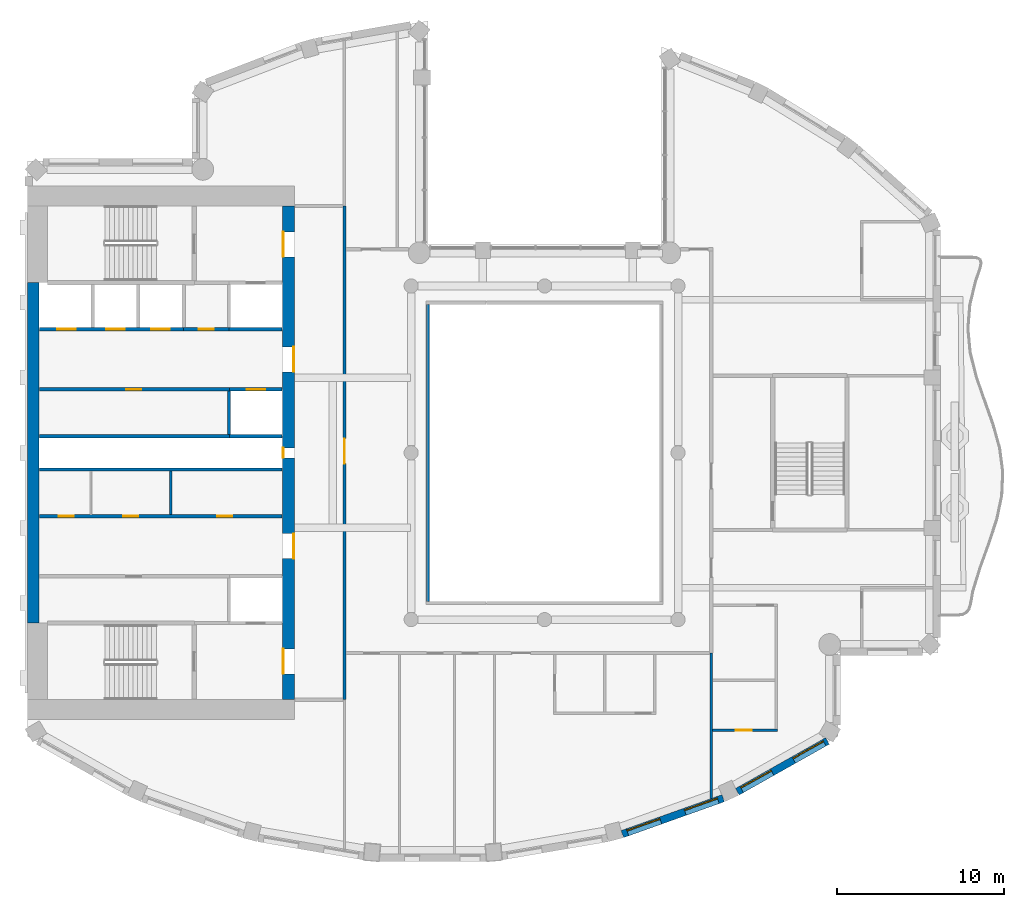
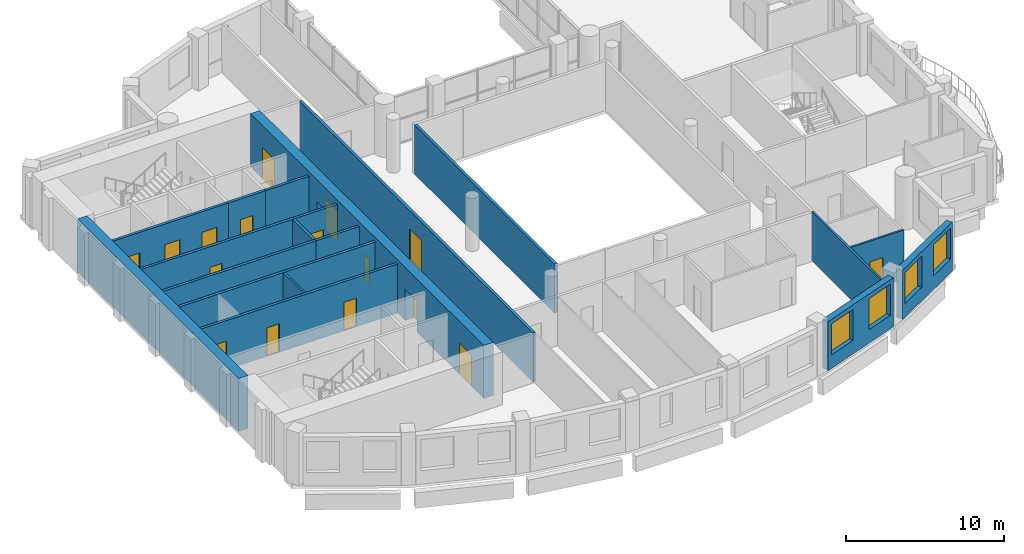
# One storey, part 5 of 14: 19 walls, 16 doors, 4 windows, 20 openings.
"""IFC4 building model written with IfcOpenShell, lengths in metres."""

from ifc_helpers import new_model, si_unit, direction, frame, frame_2d, origin, place, context, subcontext, project, spatial, rectangle, extrude, material, layer, layer_set, type_object, element, fill, save


model = new_model("IFC4")

# Units and contexts
model_context = context("Model", 3, precision=1e-05, world=origin(), true_north=direction((0.0, 1.0)))
body_context = subcontext(model_context, "Body", "Model", "MODEL_VIEW")
ifc_project = project(units=[si_unit("LENGTHUNIT", "METRE"), si_unit("AREAUNIT", "SQUARE_METRE"), si_unit("VOLUMEUNIT", "CUBIC_METRE"), si_unit("PLANEANGLEUNIT", "RADIAN"), si_unit("MASSUNIT", "GRAM", prefix="KILO")], contexts=[model_context])

# Site, building, storey
site_placement = place(None, origin())
site = spatial("IfcSite", under=ifc_project, at=site_placement, CompositionType="ELEMENT")
building_placement = place(site_placement, origin())
building = spatial("IfcBuilding", under=site, at=building_placement, Name="Cypress Arch Tower", CompositionType="ELEMENT")
storey_placement = place(building_placement, frame((0.0, 0.0, 284.39990234375)))
storey = spatial("IfcBuildingStorey", under=building, at=storey_placement, Name="L64", CompositionType="ELEMENT", Elevation=284.39990234375)

# Wall, openings, windows
ifc_material_1 = material(Name="Brick (red buff blend)", Category="masonry")
ifc_layer_1 = layer(ifc_material_1, 0.449951171875)
ifc_layer_set_1 = layer_set([ifc_layer_1], Name="Brick pier and spandrel wall BW450")
wall_type_1 = type_object("IfcWallType", Name="Brick pier and spandrel wall BW450", PredefinedType="SOLIDWALL", material=ifc_layer_set_1)
wall_1_placement = place(storey_placement, frame((5.66455078125, -22.859375, 0.0), z_axis=(0.0, 0.0, 1.0), x_axis=(0.942108340262, 0.335308626803, 0.0)))
wall_1 = element("IfcWall", 1, at=wall_1_placement, inside=storey, type_object=wall_type_1, Name="Brick wall L64 C13.0", PredefinedType="SOLIDWALL", context=body_context, shape_type="SweptSolid", body=[
    extrude(rectangle(XDim=6.41162109375, YDim=0.449951171875, at=frame_2d((3.205810546875, 0.0))), origin(), (0.0, 0.0, 1.0), 3.800048828125),
])
opening_1_placement = place(wall_1_placement, frame((0.3271484375, 0.0, 1.050048828125)))
opening_1 = element("IfcOpeningElement", 2, at=opening_1_placement, cuts=wall_1, Name="Opening W210O", PredefinedType="OPENING", context=body_context, shape_type="SweptSolid", body=[
    extrude(rectangle(XDim=2.10009765625, YDim=2.39990234375, at=frame_2d((1.050048828125, 1.199951171875))), frame((0.0, 0.23486328125, 0.0), z_axis=(0.0, -1.0, 0.0), x_axis=(1.0, 0.0, 0.0)), (0.0, 0.0, 1.0), 0.469970703125),
])
opening_2_placement = place(wall_1_placement, frame((3.984619140625, 0.0, 1.050048828125)))
opening_2 = element("IfcOpeningElement", 3, at=opening_2_placement, cuts=wall_1, Name="Opening W210O", PredefinedType="OPENING", context=body_context, shape_type="SweptSolid", body=[
    extrude(rectangle(XDim=2.10009765625, YDim=2.39990234375, at=frame_2d((1.050048828125, 1.199951171875))), frame((0.0, 0.23486328125, 0.0), z_axis=(0.0, -1.0, 0.0), x_axis=(1.0, 0.0, 0.0)), (0.0, 0.0, 1.0), 0.469970703125),
])
ifc_material_2 = material(Name="Anodised aluminium, bronze finish, clear low-emissivity double glazing", Category="aluminium")
window_type = type_object("IfcWindowType", Name="Window Office 2100x2400", PartitioningType="SINGLE_PANEL", PredefinedType="WINDOW", material=ifc_material_2)
window_1_placement = place(opening_1_placement, origin())
window_1 = element("IfcWindow", 4, at=window_1_placement, inside=storey, type_object=window_type, Name="Window L64 C13.0.1", OverallHeight=2.39990234375, OverallWidth=2.10009765625, PartitioningType="SINGLE_PANEL", PredefinedType="WINDOW", context=body_context, shape_type="SweptSolid", body=[
    extrude(rectangle(XDim=2.10009765625, YDim=2.39990234375, at=frame_2d((1.050048828125, 1.199951171875))), frame((0.0, 0.135009765625, 0.0), z_axis=(0.0, -1.0, 0.0), x_axis=(1.0, 0.0, 0.0)), (0.0, 0.0, 1.0), 0.06005859375),
])
fill(opening_1, window_1)
window_2_placement = place(opening_2_placement, origin())
window_2 = element("IfcWindow", 5, at=window_2_placement, inside=storey, type_object=window_type, Name="Window L64 C13.0.2", OverallHeight=2.39990234375, OverallWidth=2.10009765625, PartitioningType="SINGLE_PANEL", PredefinedType="WINDOW", context=body_context, shape_type="SweptSolid", body=[
    extrude(rectangle(XDim=2.10009765625, YDim=2.39990234375, at=frame_2d((1.050048828125, 1.199951171875))), frame((0.0, 0.135009765625, 0.0), z_axis=(0.0, -1.0, 0.0), x_axis=(1.0, 0.0, 0.0)), (0.0, 0.0, 1.0), 0.06005859375),
])
fill(opening_2, window_2)

wall_2_placement = place(storey_placement, frame((12.55908203125, -20.320068359375, 0.0), z_axis=(0.0, 0.0, 1.0), x_axis=(0.871065783524, 0.491166367714, 0.0)))
wall_2 = element("IfcWall", 6, at=wall_2_placement, inside=storey, type_object=wall_type_1, Name="Brick wall L64 C14.0", PredefinedType="SOLIDWALL", context=body_context, shape_type="SweptSolid", body=[
    extrude(rectangle(XDim=6.1962890625, YDim=0.449951171875, at=frame_2d((3.09814453125, 0.0))), origin(), (0.0, 0.0, 1.0), 3.800048828125),
])
opening_3_placement = place(wall_2_placement, frame((0.29052734375, 0.0, 1.050048828125)))
opening_3 = element("IfcOpeningElement", 7, at=opening_3_placement, cuts=wall_2, Name="Opening W210O", PredefinedType="OPENING", context=body_context, shape_type="SweptSolid", body=[
    extrude(rectangle(XDim=2.10009765625, YDim=2.39990234375, at=frame_2d((1.050048828125, 1.199951171875))), frame((0.0, 0.23486328125, 0.0), z_axis=(0.0, -1.0, 0.0), x_axis=(1.0, 0.0, 0.0)), (0.0, 0.0, 1.0), 0.469970703125),
])
opening_4_placement = place(wall_2_placement, frame((3.875244140625, 0.0, 1.050048828125)))
opening_4 = element("IfcOpeningElement", 8, at=opening_4_placement, cuts=wall_2, Name="Opening W210O", PredefinedType="OPENING", context=body_context, shape_type="SweptSolid", body=[
    extrude(rectangle(XDim=2.10009765625, YDim=2.39990234375, at=frame_2d((1.050048828125, 1.199951171875))), frame((0.0, 0.23486328125, 0.0), z_axis=(0.0, -1.0, 0.0), x_axis=(1.0, 0.0, 0.0)), (0.0, 0.0, 1.0), 0.469970703125),
])
window_3_placement = place(opening_3_placement, origin())
window_3 = element("IfcWindow", 9, at=window_3_placement, inside=storey, type_object=window_type, Name="Window L64 C14.0.1", OverallHeight=2.39990234375, OverallWidth=2.10009765625, PartitioningType="SINGLE_PANEL", PredefinedType="WINDOW", context=body_context, shape_type="SweptSolid", body=[
    extrude(rectangle(XDim=2.10009765625, YDim=2.39990234375, at=frame_2d((1.050048828125, 1.199951171875))), frame((0.0, 0.135009765625, 0.0), z_axis=(0.0, -1.0, 0.0), x_axis=(1.0, 0.0, 0.0)), (0.0, 0.0, 1.0), 0.06005859375),
])
fill(opening_3, window_3)
window_4_placement = place(opening_4_placement, origin())
window_4 = element("IfcWindow", 10, at=window_4_placement, inside=storey, type_object=window_type, Name="Window L64 C14.0.2", OverallHeight=2.39990234375, OverallWidth=2.10009765625, PartitioningType="SINGLE_PANEL", PredefinedType="WINDOW", context=body_context, shape_type="SweptSolid", body=[
    extrude(rectangle(XDim=2.10009765625, YDim=2.39990234375, at=frame_2d((1.050048828125, 1.199951171875))), frame((0.0, 0.135009765625, 0.0), z_axis=(0.0, -1.0, 0.0), x_axis=(1.0, 0.0, 0.0)), (0.0, 0.0, 1.0), 0.06005859375),
])
fill(opening_4, window_4)

# Wall, openings, doors
ifc_material_3 = material(Name="Concrete C60/75", Category="concrete")
ifc_layer_2 = layer(ifc_material_3, 0.699951171875)
ifc_layer_set_2 = layer_set([ifc_layer_2], Name="Core wall CW700 C60/75")
wall_type_2 = type_object("IfcWallType", Name="Core wall CW700 C60/75", PredefinedType="SHEAR", material=ifc_layer_set_2)
wall_3_placement = place(storey_placement, frame((-14.35009765625, -14.800048828125, 0.0), z_axis=(0.0, 0.0, 1.0), x_axis=(0.0, 1.0, 0.0)))
wall_3 = element("IfcWall", 11, at=wall_3_placement, inside=storey, type_object=wall_type_2, Name="Core wall", PredefinedType="SHEAR", context=body_context, shape_type="SweptSolid", body=[
    extrude(rectangle(XDim=29.60009765625, YDim=0.699951171875, at=frame_2d((14.800048828125, 0.0))), origin(), (0.0, 0.0, 1.0), 4.10009765625),
])
opening_5_placement = place(wall_3_placement, frame((1.550048828125, 0.0, 0.0)))
opening_5 = element("IfcOpeningElement", 12, at=opening_5_placement, cuts=wall_3, Name="Opening D07", PredefinedType="OPENING", context=body_context, shape_type="SweptSolid", body=[
    extrude(rectangle(XDim=1.5, YDim=2.39990234375, at=frame_2d((0.75, 1.199951171875))), frame((0.0, 0.35986328125, 0.0), z_axis=(0.0, -1.0, 0.0), x_axis=(1.0, 0.0, 0.0)), (0.0, 0.0, 1.0), 0.719970703125),
])
opening_6_placement = place(wall_3_placement, frame((26.550048828125, 0.0, 0.0)))
opening_6 = element("IfcOpeningElement", 13, at=opening_6_placement, cuts=wall_3, Name="Opening D07", PredefinedType="OPENING", context=body_context, shape_type="SweptSolid", body=[
    extrude(rectangle(XDim=1.5, YDim=2.39990234375, at=frame_2d((0.75, 1.199951171875))), frame((0.0, 0.35986328125, 0.0), z_axis=(0.0, -1.0, 0.0), x_axis=(1.0, 0.0, 0.0)), (0.0, 0.0, 1.0), 0.719970703125),
])
opening_7_placement = place(wall_3_placement, frame((8.449951171875, 0.0, 0.0)))
opening_7 = element("IfcOpeningElement", 14, at=opening_7_placement, cuts=wall_3, Name="Opening D07", PredefinedType="OPENING", context=body_context, shape_type="SweptSolid", body=[
    extrude(rectangle(XDim=1.5, YDim=2.39990234375, at=frame_2d((0.75, 1.199951171875))), frame((0.0, 0.35986328125, 0.0), z_axis=(0.0, -1.0, 0.0), x_axis=(1.0, 0.0, 0.0)), (0.0, 0.0, 1.0), 0.719970703125),
])
opening_8_placement = place(wall_3_placement, frame((19.64990234375, 0.0, 0.0)))
opening_8 = element("IfcOpeningElement", 15, at=opening_8_placement, cuts=wall_3, Name="Opening D07", PredefinedType="OPENING", context=body_context, shape_type="SweptSolid", body=[
    extrude(rectangle(XDim=1.5, YDim=2.39990234375, at=frame_2d((0.75, 1.199951171875))), frame((0.0, 0.35986328125, 0.0), z_axis=(0.0, -1.0, 0.0), x_axis=(1.0, 0.0, 0.0)), (0.0, 0.0, 1.0), 0.719970703125),
])
opening_9_placement = place(wall_3_placement, frame((14.5, 0.0, 0.0)))
opening_9 = element("IfcOpeningElement", 16, at=opening_9_placement, cuts=wall_3, Name="Opening D08", PredefinedType="OPENING", context=body_context, shape_type="SweptSolid", body=[
    extrude(rectangle(XDim=0.60009765625, YDim=2.0, at=frame_2d((0.300048828125, 1.0))), frame((0.0, 0.35986328125, 0.0), z_axis=(0.0, -1.0, 0.0), x_axis=(1.0, 0.0, 0.0)), (0.0, 0.0, 1.0), 0.719970703125),
])
ifc_material_4 = material(Name="Steel framed glazed door, fire resisting", Category="steel")
door_type_1 = type_object("IfcDoorType", Name="Lobby door D07 1500x2400", OperationType="DOUBLE_DOOR_SINGLE_SWING", PredefinedType="DOOR", material=ifc_material_4)
door_1_placement = place(opening_5_placement, origin())
door_1 = element("IfcDoor", 17, at=door_1_placement, inside=storey, type_object=door_type_1, Name="Lobby door", OperationType="DOUBLE_DOOR_SINGLE_SWING", OverallHeight=2.39990234375, OverallWidth=1.5, PredefinedType="DOOR", context=body_context, shape_type="SweptSolid", body=[
    extrude(rectangle(XDim=1.5, YDim=2.39990234375, at=frame_2d((0.75, 1.199951171875))), frame((0.0, 0.34521484375, 0.0), z_axis=(0.0, -1.0, 0.0), x_axis=(1.0, 0.0, 0.0)), (0.0, 0.0, 1.0), 0.050048828125),
])
fill(opening_5, door_1)
door_2_placement = place(opening_6_placement, origin())
door_2 = element("IfcDoor", 18, at=door_2_placement, inside=storey, type_object=door_type_1, Name="Lobby door", OperationType="DOUBLE_DOOR_SINGLE_SWING", OverallHeight=2.39990234375, OverallWidth=1.5, PredefinedType="DOOR", context=body_context, shape_type="SweptSolid", body=[
    extrude(rectangle(XDim=1.5, YDim=2.39990234375, at=frame_2d((0.75, 1.199951171875))), frame((0.0, 0.34521484375, 0.0), z_axis=(0.0, -1.0, 0.0), x_axis=(1.0, 0.0, 0.0)), (0.0, 0.0, 1.0), 0.050048828125),
])
fill(opening_6, door_2)
door_3_placement = place(opening_7_placement, origin())
door_3 = element("IfcDoor", 19, at=door_3_placement, inside=storey, type_object=door_type_1, Name="Lobby door", OperationType="DOUBLE_DOOR_SINGLE_SWING", OverallHeight=2.39990234375, OverallWidth=1.5, PredefinedType="DOOR", context=body_context, shape_type="SweptSolid", body=[
    extrude(rectangle(XDim=1.5, YDim=2.39990234375, at=frame_2d((0.75, 1.199951171875))), frame((0.0, -0.294921875, 0.0), z_axis=(0.0, -1.0, 0.0), x_axis=(1.0, 0.0, 0.0)), (0.0, 0.0, 1.0), 0.050048828125),
])
fill(opening_7, door_3)
door_4_placement = place(opening_8_placement, origin())
door_4 = element("IfcDoor", 20, at=door_4_placement, inside=storey, type_object=door_type_1, Name="Lobby door", OperationType="DOUBLE_DOOR_SINGLE_SWING", OverallHeight=2.39990234375, OverallWidth=1.5, PredefinedType="DOOR", context=body_context, shape_type="SweptSolid", body=[
    extrude(rectangle(XDim=1.5, YDim=2.39990234375, at=frame_2d((0.75, 1.199951171875))), frame((0.0, -0.294921875, 0.0), z_axis=(0.0, -1.0, 0.0), x_axis=(1.0, 0.0, 0.0)), (0.0, 0.0, 1.0), 0.050048828125),
])
fill(opening_8, door_4)
ifc_material_5 = material(Name="Steel access door, fire resisting", Category="steel")
door_type_2 = type_object("IfcDoorType", Name="Riser access door D08 600x2000", OperationType="SINGLE_SWING_LEFT", PredefinedType="DOOR", material=ifc_material_5)
door_5_placement = place(opening_9_placement, origin())
door_5 = element("IfcDoor", 21, at=door_5_placement, inside=storey, type_object=door_type_2, Name="Riser access door", OperationType="SINGLE_SWING_RIGHT", OverallHeight=2.0, OverallWidth=0.60009765625, PredefinedType="DOOR", context=body_context, shape_type="SweptSolid", body=[
    extrude(rectangle(XDim=0.60009765625, YDim=2.0, at=frame_2d((0.300048828125, 1.0))), frame((0.0, 0.34521484375, 0.0), z_axis=(0.0, -1.0, 0.0), x_axis=(1.0, 0.0, 0.0)), (0.0, 0.0, 1.0), 0.050048828125),
])
fill(opening_9, door_5)

# Wall
wall_4_placement = place(storey_placement, frame((-29.64990234375, -10.199951171875, 0.0), z_axis=(0.0, 0.0, 1.0), x_axis=(0.0, 1.0, 0.0)))
element("IfcWall", 22, at=wall_4_placement, inside=storey, type_object=wall_type_2, Name="Core wall", PredefinedType="SHEAR", context=body_context, shape_type="SweptSolid", body=[
    extrude(rectangle(XDim=20.39990234375, YDim=0.699951171875, at=frame_2d((10.199951171875, 0.0))), origin(), (0.0, 0.0, 1.0), 4.10009765625),
])

# Wall, openings, doors
ifc_material_6 = material(Name="Concrete blockwork, plastered, rated", Category="masonry")
ifc_layer_3 = layer(ifc_material_6, 0.199951171875)
ifc_layer_set_3 = layer_set([ifc_layer_3], Name="Corridor wall FW200")
wall_type_3 = type_object("IfcWallType", Name="Corridor wall FW200", PredefinedType="PARTITIONING", material=ifc_layer_set_3)
wall_5_placement = place(storey_placement, frame((-29.27001953125, -3.800048828125, 0.0), z_axis=(0.0, 0.0, 1.0), x_axis=(1.0, 0.0, 0.0)))
wall_5 = element("IfcWall", 23, at=wall_5_placement, inside=storey, type_object=wall_type_3, Name="Corridor wall", PredefinedType="PARTITIONING", context=body_context, shape_type="SweptSolid", body=[
    extrude(rectangle(XDim=14.5400390625, YDim=0.199951171875, at=frame_2d((7.27001953125, 0.0))), origin(), (0.0, 0.0, 1.0), 3.800048828125),
])
opening_10_placement = place(wall_5_placement, frame((1.14990234375, 0.0, 0.0)))
opening_10 = element("IfcOpeningElement", 24, at=opening_10_placement, cuts=wall_5, Name="Opening D05", PredefinedType="OPENING", context=body_context, shape_type="SweptSolid", body=[
    extrude(rectangle(XDim=0.89990234375, YDim=2.199951171875, at=frame_2d((0.449951171875, 1.10009765625))), frame((0.0, 0.10986328125, 0.0), z_axis=(0.0, -1.0, 0.0), x_axis=(1.0, 0.0, 0.0)), (0.0, 0.0, 1.0), 0.219970703125),
])
opening_11_placement = place(wall_5_placement, frame((5.0, 0.0, 0.0)))
opening_11 = element("IfcOpeningElement", 25, at=opening_11_placement, cuts=wall_5, Name="Opening D05", PredefinedType="OPENING", context=body_context, shape_type="SweptSolid", body=[
    extrude(rectangle(XDim=0.89990234375, YDim=2.199951171875, at=frame_2d((0.449951171875, 1.10009765625))), frame((0.0, 0.10986328125, 0.0), z_axis=(0.0, -1.0, 0.0), x_axis=(1.0, 0.0, 0.0)), (0.0, 0.0, 1.0), 0.219970703125),
])
opening_12_placement = place(wall_5_placement, frame((10.64990234375, 0.0, 0.0)))
opening_12 = element("IfcOpeningElement", 26, at=opening_12_placement, cuts=wall_5, Name="Opening D05", PredefinedType="OPENING", context=body_context, shape_type="SweptSolid", body=[
    extrude(rectangle(XDim=0.89990234375, YDim=2.199951171875, at=frame_2d((0.449951171875, 1.10009765625))), frame((0.0, 0.10986328125, 0.0), z_axis=(0.0, -1.0, 0.0), x_axis=(1.0, 0.0, 0.0)), (0.0, 0.0, 1.0), 0.219970703125),
])
ifc_material_7 = material(Name="Timber flush door", Category="wood")
door_type_3 = type_object("IfcDoorType", Name="Service door D05 900x2200", OperationType="SINGLE_SWING_LEFT", PredefinedType="DOOR", material=ifc_material_7)
door_6_placement = place(opening_10_placement, origin())
door_6 = element("IfcDoor", 27, at=door_6_placement, inside=storey, type_object=door_type_3, Name="Service door", OperationType="SINGLE_SWING_RIGHT", OverallHeight=2.199951171875, OverallWidth=0.89990234375, PredefinedType="DOOR", context=body_context, shape_type="SweptSolid", body=[
    extrude(rectangle(XDim=0.89990234375, YDim=2.199951171875, at=frame_2d((0.449951171875, 1.10009765625))), frame((0.0, 0.02490234375, 0.0), z_axis=(0.0, -1.0, 0.0), x_axis=(1.0, 0.0, 0.0)), (0.0, 0.0, 1.0), 0.050048828125),
])
fill(opening_10, door_6)
door_7_placement = place(opening_11_placement, origin())
door_7 = element("IfcDoor", 28, at=door_7_placement, inside=storey, type_object=door_type_3, Name="Service door", OperationType="SINGLE_SWING_LEFT", OverallHeight=2.199951171875, OverallWidth=0.89990234375, PredefinedType="DOOR", context=body_context, shape_type="SweptSolid", body=[
    extrude(rectangle(XDim=0.89990234375, YDim=2.199951171875, at=frame_2d((0.449951171875, 1.10009765625))), frame((0.0, 0.02490234375, 0.0), z_axis=(0.0, -1.0, 0.0), x_axis=(1.0, 0.0, 0.0)), (0.0, 0.0, 1.0), 0.050048828125),
])
fill(opening_11, door_7)
door_8_placement = place(opening_12_placement, origin())
door_8 = element("IfcDoor", 29, at=door_8_placement, inside=storey, type_object=door_type_3, Name="Service door", OperationType="SINGLE_SWING_LEFT", OverallHeight=2.199951171875, OverallWidth=0.89990234375, PredefinedType="DOOR", context=body_context, shape_type="SweptSolid", body=[
    extrude(rectangle(XDim=0.89990234375, YDim=2.199951171875, at=frame_2d((0.449951171875, 1.10009765625))), frame((0.0, 0.02490234375, 0.0), z_axis=(0.0, -1.0, 0.0), x_axis=(1.0, 0.0, 0.0)), (0.0, 0.0, 1.0), 0.050048828125),
])
fill(opening_12, door_8)

# Wall, opening, door
wall_6_placement = place(storey_placement, frame((-20.639892578125, 7.39990234375, 0.0), z_axis=(0.0, 0.0, 1.0), x_axis=(1.0, 0.0, 0.0)))
wall_6 = element("IfcWall", 30, at=wall_6_placement, inside=storey, type_object=wall_type_3, Name="Corridor wall", PredefinedType="PARTITIONING", context=body_context, shape_type="SweptSolid", body=[
    extrude(rectangle(XDim=2.719970703125, YDim=0.199951171875, at=frame_2d((1.35986328125, 0.0))), origin(), (0.0, 0.0, 1.0), 3.800048828125),
])
opening_13_placement = place(wall_6_placement, frame((0.89990234375, 0.0, 0.0)))
opening_13 = element("IfcOpeningElement", 31, at=opening_13_placement, cuts=wall_6, Name="Opening D05", PredefinedType="OPENING", context=body_context, shape_type="SweptSolid", body=[
    extrude(rectangle(XDim=0.89990234375, YDim=2.199951171875, at=frame_2d((0.449951171875, 1.10009765625))), frame((0.0, 0.10986328125, 0.0), z_axis=(0.0, -1.0, 0.0), x_axis=(1.0, 0.0, 0.0)), (0.0, 0.0, 1.0), 0.219970703125),
])
door_9_placement = place(opening_13_placement, origin())
door_9 = element("IfcDoor", 32, at=door_9_placement, inside=storey, type_object=door_type_3, Name="Service door", OperationType="SINGLE_SWING_LEFT", OverallHeight=2.199951171875, OverallWidth=0.89990234375, PredefinedType="DOOR", context=body_context, shape_type="SweptSolid", body=[
    extrude(rectangle(XDim=0.89990234375, YDim=2.199951171875, at=frame_2d((0.449951171875, 1.10009765625))), frame((0.0, 0.02490234375, 0.0), z_axis=(0.0, -1.0, 0.0), x_axis=(1.0, 0.0, 0.0)), (0.0, 0.0, 1.0), 0.050048828125),
])
fill(opening_13, door_9)

wall_7_placement = place(storey_placement, frame((-11.0, -14.800048828125, 0.0), z_axis=(0.0, 0.0, 1.0), x_axis=(0.0, 1.0, 0.0)))
wall_7 = element("IfcWall", 33, at=wall_7_placement, inside=storey, type_object=wall_type_3, Name="Corridor wall", PredefinedType="PARTITIONING", context=body_context, shape_type="SweptSolid", body=[
    extrude(rectangle(XDim=29.60009765625, YDim=0.199951171875, at=frame_2d((14.800048828125, 0.0))), origin(), (0.0, 0.0, 1.0), 3.800048828125),
])
opening_14_placement = place(wall_7_placement, frame((14.14990234375, 0.0, 0.0)))
opening_14 = element("IfcOpeningElement", 34, at=opening_14_placement, cuts=wall_7, Name="Opening D07", PredefinedType="OPENING", context=body_context, shape_type="SweptSolid", body=[
    extrude(rectangle(XDim=1.5, YDim=2.39990234375, at=frame_2d((0.75, 1.199951171875))), frame((0.0, 0.10986328125, 0.0), z_axis=(0.0, -1.0, 0.0), x_axis=(1.0, 0.0, 0.0)), (0.0, 0.0, 1.0), 0.219970703125),
])
door_10_placement = place(opening_14_placement, origin())
door_10 = element("IfcDoor", 35, at=door_10_placement, inside=storey, type_object=door_type_1, Name="Lobby door", OperationType="DOUBLE_DOOR_SINGLE_SWING", OverallHeight=2.39990234375, OverallWidth=1.5, PredefinedType="DOOR", context=body_context, shape_type="SweptSolid", body=[
    extrude(rectangle(XDim=1.5, YDim=2.39990234375, at=frame_2d((0.75, 1.199951171875))), frame((0.0, 0.02490234375, 0.0), z_axis=(0.0, -1.0, 0.0), x_axis=(1.0, 0.0, 0.0)), (0.0, 0.0, 1.0), 0.050048828125),
])
fill(opening_14, door_10)

# Walls
wall_8_placement = place(storey_placement, frame((-6.0, -8.89990234375, 0.0), z_axis=(0.0, 0.0, 1.0), x_axis=(0.0, 1.0, 0.0)))
element("IfcWall", 36, at=wall_8_placement, inside=storey, type_object=wall_type_3, Name="Corridor wall", PredefinedType="PARTITIONING", context=body_context, shape_type="SweptSolid", body=[
    extrude(rectangle(XDim=17.7998046875, YDim=0.199951171875, at=frame_2d((8.89990234375, 0.0))), origin(), (0.0, 0.0, 1.0), 3.800048828125),
])
ifc_material_8 = material(Name="Blockwork, plastered both sides", Category="masonry")
ifc_layer_4 = layer(ifc_material_8, 0.14990234375)
ifc_layer_set_4 = layer_set([ifc_layer_4], Name="Partition PW150")
wall_type_4 = type_object("IfcWallType", Name="Partition PW150", PredefinedType="PARTITIONING", material=ifc_layer_set_4)
wall_9_placement = place(storey_placement, frame((-21.39990234375, -3.699951171875, 0.0), z_axis=(0.0, 0.0, 1.0), x_axis=(0.0, 1.0, 0.0)))
element("IfcWall", 37, at=wall_9_placement, inside=storey, type_object=wall_type_4, Name="Partition", PredefinedType="PARTITIONING", context=body_context, shape_type="SweptSolid", body=[
    extrude(rectangle(XDim=2.599853515625, YDim=0.14990234375, at=frame_2d((1.2998046875, 0.0))), origin(), (0.0, 0.0, 1.0), 3.800048828125),
])
wall_10_placement = place(storey_placement, frame((11.0, -20.721435546875, 0.0), z_axis=(0.0, 0.0, 1.0), x_axis=(0.0, 1.0, 0.0)))
element("IfcWall", 38, at=wall_10_placement, inside=storey, type_object=wall_type_4, Name="Partition", PredefinedType="PARTITIONING", context=body_context, shape_type="SweptSolid", body=[
    extrude(rectangle(XDim=8.721435546875, YDim=0.14990234375, at=frame_2d((4.36083984375, 0.0))), origin(), (0.0, 0.0, 1.0), 3.800048828125),
])

# Wall, opening, door
wall_11_placement = place(storey_placement, frame((11.074951171875, -16.625, 0.0), z_axis=(0.0, 0.0, 1.0), x_axis=(1.0, 0.0, 0.0)))
wall_11 = element("IfcWall", 39, at=wall_11_placement, inside=storey, type_object=wall_type_4, Name="Partition", PredefinedType="PARTITIONING", context=body_context, shape_type="SweptSolid", body=[
    extrude(rectangle(XDim=3.900146484375, YDim=0.14990234375, at=frame_2d((1.9501953125, 0.0))), origin(), (0.0, 0.0, 1.0), 3.800048828125),
])
opening_15_placement = place(wall_11_placement, frame((1.39990234375, 0.0, 0.0)))
opening_15 = element("IfcOpeningElement", 40, at=opening_15_placement, cuts=wall_11, Name="Opening D12", PredefinedType="OPENING", context=body_context, shape_type="SweptSolid", body=[
    extrude(rectangle(XDim=0.949951171875, YDim=2.199951171875, at=frame_2d((0.47509765625, 1.10009765625))), frame((0.0, 0.0849609375, 0.0), z_axis=(0.0, -1.0, 0.0), x_axis=(1.0, 0.0, 0.0)), (0.0, 0.0, 1.0), 0.169921875),
])
ifc_material_9 = material(Name="Timber flush door", Category="wood")
door_type_4 = type_object("IfcDoorType", Name="Room door D12 950x2200", OperationType="SINGLE_SWING_LEFT", PredefinedType="DOOR", material=ifc_material_9)
door_11_placement = place(opening_15_placement, origin())
door_11 = element("IfcDoor", 41, at=door_11_placement, inside=storey, type_object=door_type_4, Name="Room door", OperationType="SINGLE_SWING_RIGHT", OverallHeight=2.199951171875, OverallWidth=0.949951171875, PredefinedType="DOOR", context=body_context, shape_type="SweptSolid", body=[
    extrude(rectangle(XDim=0.949951171875, YDim=2.199951171875, at=frame_2d((0.47509765625, 1.10009765625))), frame((0.0, 0.02490234375, 0.0), z_axis=(0.0, -1.0, 0.0), x_axis=(1.0, 0.0, 0.0)), (0.0, 0.0, 1.0), 0.050048828125),
])
fill(opening_15, door_11)

# Walls
ifc_material_10 = material(Name="Reinforced blockwork, plastered, rated", Category="masonry")
ifc_layer_5 = layer(ifc_material_10, 0.199951171875)
ifc_layer_set_5 = layer_set([ifc_layer_5], Name="Plant and riser wall PL200")
wall_type_5 = type_object("IfcWallType", Name="Plant and riser wall PL200", PredefinedType="PARTITIONING", material=ifc_layer_set_5)
wall_12_placement = place(storey_placement, frame((-29.27001953125, -1.0, 0.0), z_axis=(0.0, 0.0, 1.0), x_axis=(1.0, 0.0, 0.0)))
element("IfcWall", 42, at=wall_12_placement, inside=storey, type_object=wall_type_5, Name="Plant and riser wall", PredefinedType="PARTITIONING", context=body_context, shape_type="SweptSolid", body=[
    extrude(rectangle(XDim=14.5400390625, YDim=0.199951171875, at=frame_2d((7.27001953125, 0.0))), origin(), (0.0, 0.0, 1.0), 3.800048828125),
])
wall_13_placement = place(storey_placement, frame((-29.27001953125, 1.0, 0.0), z_axis=(0.0, 0.0, 1.0), x_axis=(1.0, 0.0, 0.0)))
element("IfcWall", 43, at=wall_13_placement, inside=storey, type_object=wall_type_5, Name="Plant and riser wall", PredefinedType="PARTITIONING", context=body_context, shape_type="SweptSolid", body=[
    extrude(rectangle(XDim=11.3701171875, YDim=0.199951171875, at=frame_2d((5.68505859375, 0.0))), origin(), (0.0, 0.0, 1.0), 3.800048828125),
])

# Wall, opening, door
wall_14_placement = place(storey_placement, frame((-29.27001953125, 3.800048828125, 0.0), z_axis=(0.0, 0.0, 1.0), x_axis=(1.0, 0.0, 0.0)))
wall_14 = element("IfcWall", 44, at=wall_14_placement, inside=storey, type_object=wall_type_5, Name="Plant and riser wall", PredefinedType="PARTITIONING", context=body_context, shape_type="SweptSolid", body=[
    extrude(rectangle(XDim=11.3701171875, YDim=0.199951171875, at=frame_2d((5.68505859375, 0.0))), origin(), (0.0, 0.0, 1.0), 3.800048828125),
])
opening_16_placement = place(wall_14_placement, frame((5.199951171875, 0.0, 0.0)))
opening_16 = element("IfcOpeningElement", 45, at=opening_16_placement, cuts=wall_14, Name="Opening D05", PredefinedType="OPENING", context=body_context, shape_type="SweptSolid", body=[
    extrude(rectangle(XDim=0.89990234375, YDim=2.199951171875, at=frame_2d((0.449951171875, 1.10009765625))), frame((0.0, 0.10986328125, 0.0), z_axis=(0.0, -1.0, 0.0), x_axis=(1.0, 0.0, 0.0)), (0.0, 0.0, 1.0), 0.219970703125),
])
door_12_placement = place(opening_16_placement, origin())
door_12 = element("IfcDoor", 46, at=door_12_placement, inside=storey, type_object=door_type_3, Name="Service door", OperationType="SINGLE_SWING_RIGHT", OverallHeight=2.199951171875, OverallWidth=0.89990234375, PredefinedType="DOOR", context=body_context, shape_type="SweptSolid", body=[
    extrude(rectangle(XDim=0.89990234375, YDim=2.199951171875, at=frame_2d((0.449951171875, 1.10009765625))), frame((0.0, 0.02490234375, 0.0), z_axis=(0.0, -1.0, 0.0), x_axis=(1.0, 0.0, 0.0)), (0.0, 0.0, 1.0), 0.050048828125),
])
fill(opening_16, door_12)

# Wall, openings, doors
ifc_material_11 = material(Name="Concrete C50/60", Category="concrete")
ifc_layer_6 = layer(ifc_material_11, 0.199951171875)
ifc_layer_set_6 = layer_set([ifc_layer_6], Name="Shaft wall SH200")
wall_type_6 = type_object("IfcWallType", Name="Shaft wall SH200", PredefinedType="SHEAR", material=ifc_layer_set_6)
wall_15_placement = place(storey_placement, frame((-29.27001953125, 7.39990234375, 0.0), z_axis=(0.0, 0.0, 1.0), x_axis=(1.0, 0.0, 0.0)))
wall_15 = element("IfcWall", 47, at=wall_15_placement, inside=storey, type_object=wall_type_6, Name="Shaft wall", PredefinedType="SHEAR", context=body_context, shape_type="SweptSolid", body=[
    extrude(rectangle(XDim=8.630126953125, YDim=0.199951171875, at=frame_2d((4.31494140625, 0.0))), origin(), (0.0, 0.0, 1.0), 3.800048828125),
])
opening_17_placement = place(wall_15_placement, frame((1.050048828125, 0.0, 0.0)))
opening_17 = element("IfcOpeningElement", 48, at=opening_17_placement, cuts=wall_15, Name="Opening LD-HR5", PredefinedType="OPENING", context=body_context, shape_type="SweptSolid", body=[
    extrude(rectangle(XDim=1.10009765625, YDim=2.199951171875, at=frame_2d((0.550048828125, 1.10009765625))), frame((0.0, 0.10986328125, 0.0), z_axis=(0.0, -1.0, 0.0), x_axis=(1.0, 0.0, 0.0)), (0.0, 0.0, 1.0), 0.219970703125),
])
opening_18_placement = place(wall_15_placement, frame((4.0, 0.0, 0.0)))
opening_18 = element("IfcOpeningElement", 49, at=opening_18_placement, cuts=wall_15, Name="Opening LD-HR6", PredefinedType="OPENING", context=body_context, shape_type="SweptSolid", body=[
    extrude(rectangle(XDim=1.10009765625, YDim=2.199951171875, at=frame_2d((0.550048828125, 1.10009765625))), frame((0.0, 0.10986328125, 0.0), z_axis=(0.0, -1.0, 0.0), x_axis=(1.0, 0.0, 0.0)), (0.0, 0.0, 1.0), 0.219970703125),
])
opening_19_placement = place(wall_15_placement, frame((6.699951171875, 0.0, 0.0)))
opening_19 = element("IfcOpeningElement", 50, at=opening_19_placement, cuts=wall_15, Name="Opening LD-HR7", PredefinedType="OPENING", context=body_context, shape_type="SweptSolid", body=[
    extrude(rectangle(XDim=1.10009765625, YDim=2.199951171875, at=frame_2d((0.550048828125, 1.10009765625))), frame((0.0, 0.10986328125, 0.0), z_axis=(0.0, -1.0, 0.0), x_axis=(1.0, 0.0, 0.0)), (0.0, 0.0, 1.0), 0.219970703125),
])
ifc_material_12 = material(Name="Stainless steel centre-opening landing door, rated", Category="steel")
door_type_5 = type_object("IfcDoorType", Name="Lift landing door LD 1100x2200", OperationType="DOUBLE_DOOR_SLIDING", PredefinedType="DOOR", material=ifc_material_12)
door_13_placement = place(opening_17_placement, origin())
door_13 = element("IfcDoor", 51, at=door_13_placement, inside=storey, type_object=door_type_5, Name="Lift landing doors HR5", OperationType="DOUBLE_DOOR_SLIDING", OverallHeight=2.199951171875, OverallWidth=1.10009765625, PredefinedType="DOOR", context=body_context, shape_type="SweptSolid", body=[
    extrude(rectangle(XDim=1.10009765625, YDim=2.199951171875, at=frame_2d((0.550048828125, 1.10009765625))), frame((0.0, 0.02490234375, 0.0), z_axis=(0.0, -1.0, 0.0), x_axis=(1.0, 0.0, 0.0)), (0.0, 0.0, 1.0), 0.050048828125),
])
fill(opening_17, door_13)
door_14_placement = place(opening_18_placement, origin())
door_14 = element("IfcDoor", 52, at=door_14_placement, inside=storey, type_object=door_type_5, Name="Lift landing doors HR6", OperationType="DOUBLE_DOOR_SLIDING", OverallHeight=2.199951171875, OverallWidth=1.10009765625, PredefinedType="DOOR", context=body_context, shape_type="SweptSolid", body=[
    extrude(rectangle(XDim=1.10009765625, YDim=2.199951171875, at=frame_2d((0.550048828125, 1.10009765625))), frame((0.0, 0.02490234375, 0.0), z_axis=(0.0, -1.0, 0.0), x_axis=(1.0, 0.0, 0.0)), (0.0, 0.0, 1.0), 0.050048828125),
])
fill(opening_18, door_14)
door_15_placement = place(opening_19_placement, origin())
door_15 = element("IfcDoor", 53, at=door_15_placement, inside=storey, type_object=door_type_5, Name="Lift landing doors HR7", OperationType="DOUBLE_DOOR_SLIDING", OverallHeight=2.199951171875, OverallWidth=1.10009765625, PredefinedType="DOOR", context=body_context, shape_type="SweptSolid", body=[
    extrude(rectangle(XDim=1.10009765625, YDim=2.199951171875, at=frame_2d((0.550048828125, 1.10009765625))), frame((0.0, 0.02490234375, 0.0), z_axis=(0.0, -1.0, 0.0), x_axis=(1.0, 0.0, 0.0)), (0.0, 0.0, 1.0), 0.050048828125),
])
fill(opening_19, door_15)

# Walls
wall_16_placement = place(storey_placement, frame((-17.919921875, 1.10009765625, 0.0), z_axis=(0.0, 0.0, 1.0), x_axis=(0.0, 1.0, 0.0)))
element("IfcWall", 54, at=wall_16_placement, inside=storey, type_object=wall_type_6, Name="Shaft wall", PredefinedType="SHEAR", context=body_context, shape_type="SweptSolid", body=[
    extrude(rectangle(XDim=2.599853515625, YDim=0.199951171875, at=frame_2d((1.2998046875, 0.0))), origin(), (0.0, 0.0, 1.0), 3.800048828125),
])
wall_17_placement = place(storey_placement, frame((-17.89990234375, 1.0, 0.0), z_axis=(0.0, 0.0, 1.0), x_axis=(1.0, 0.0, 0.0)))
element("IfcWall", 55, at=wall_17_placement, inside=storey, type_object=wall_type_6, Name="Shaft wall", PredefinedType="SHEAR", context=body_context, shape_type="SweptSolid", body=[
    extrude(rectangle(XDim=3.169921875, YDim=0.199951171875, at=frame_2d((1.5849609375, 0.0))), origin(), (0.0, 0.0, 1.0), 3.800048828125),
])

# Wall, opening, door
wall_18_placement = place(storey_placement, frame((-17.89990234375, 3.800048828125, 0.0), z_axis=(0.0, 0.0, 1.0), x_axis=(1.0, 0.0, 0.0)))
wall_18 = element("IfcWall", 56, at=wall_18_placement, inside=storey, type_object=wall_type_6, Name="Shaft wall", PredefinedType="SHEAR", context=body_context, shape_type="SweptSolid", body=[
    extrude(rectangle(XDim=3.169921875, YDim=0.199951171875, at=frame_2d((1.5849609375, 0.0))), origin(), (0.0, 0.0, 1.0), 3.800048828125),
])
opening_20_placement = place(wall_18_placement, frame((1.050048828125, 0.0, 0.0)))
opening_20 = element("IfcOpeningElement", 57, at=opening_20_placement, cuts=wall_18, Name="Opening LD-HR4", PredefinedType="OPENING", context=body_context, shape_type="SweptSolid", body=[
    extrude(rectangle(XDim=1.10009765625, YDim=2.199951171875, at=frame_2d((0.550048828125, 1.10009765625))), frame((0.0, 0.10986328125, 0.0), z_axis=(0.0, -1.0, 0.0), x_axis=(1.0, 0.0, 0.0)), (0.0, 0.0, 1.0), 0.219970703125),
])
door_16_placement = place(opening_20_placement, origin())
door_16 = element("IfcDoor", 58, at=door_16_placement, inside=storey, type_object=door_type_5, Name="Lift landing doors HR4", OperationType="DOUBLE_DOOR_SLIDING", OverallHeight=2.199951171875, OverallWidth=1.10009765625, PredefinedType="DOOR", context=body_context, shape_type="SweptSolid", body=[
    extrude(rectangle(XDim=1.10009765625, YDim=2.199951171875, at=frame_2d((0.550048828125, 1.10009765625))), frame((0.0, 0.02490234375, 0.0), z_axis=(0.0, -1.0, 0.0), x_axis=(1.0, 0.0, 0.0)), (0.0, 0.0, 1.0), 0.050048828125),
])
fill(opening_20, door_16)

# Wall
wall_19_placement = place(storey_placement, frame((-17.919921875, 7.39990234375, 0.0), z_axis=(0.0, 0.0, 1.0), x_axis=(1.0, 0.0, 0.0)))
element("IfcWall", 59, at=wall_19_placement, inside=storey, type_object=wall_type_6, Name="Shaft wall", PredefinedType="SHEAR", context=body_context, shape_type="SweptSolid", body=[
    extrude(rectangle(XDim=3.18994140625, YDim=0.199951171875, at=frame_2d((1.594970703125, 0.0))), origin(), (0.0, 0.0, 1.0), 3.800048828125),
])

save(model, "model.ifc")
